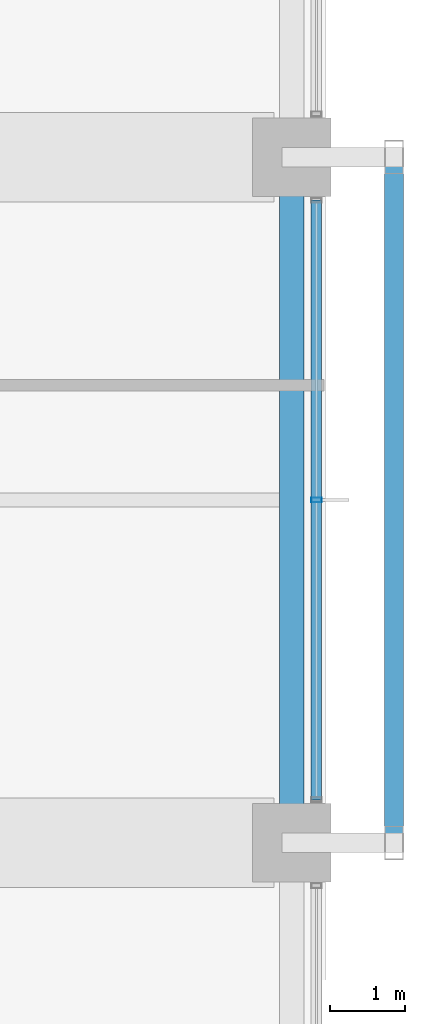
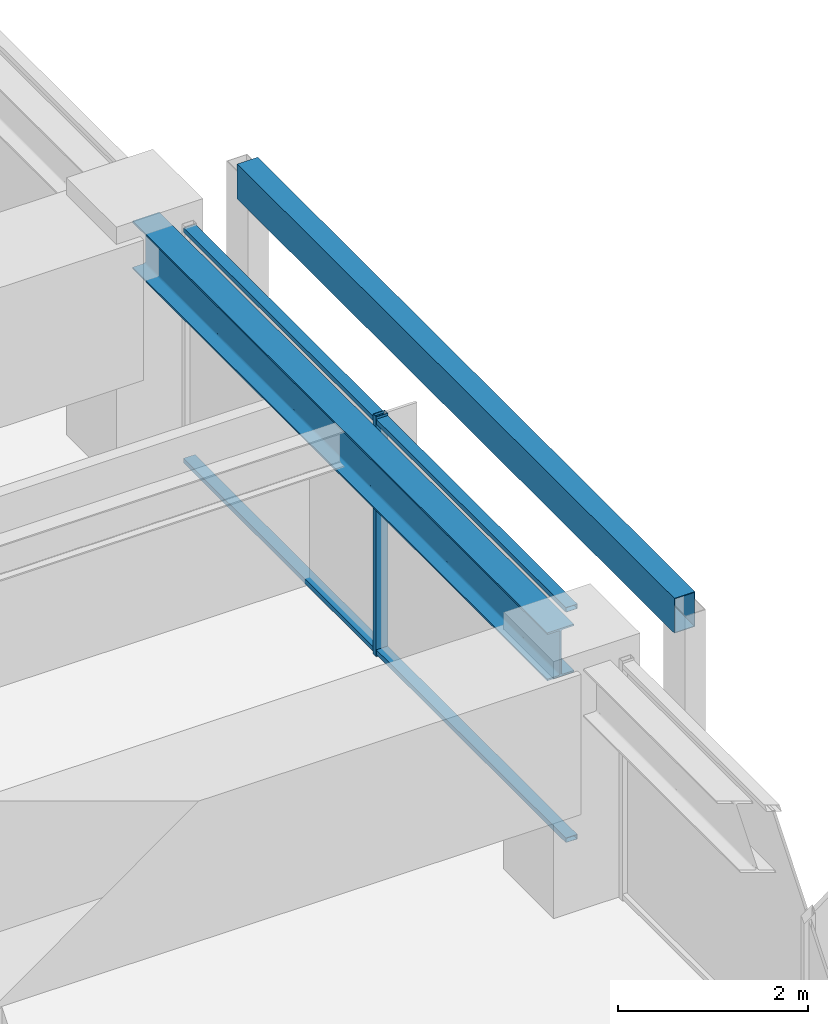
# One storey, part 17 of 39: 4 members, 1 beam, 1 element without a shape of its own.
"""IFC4 building model written with IfcOpenShell, lengths in metres."""

import ifcopenshell
import ifcopenshell.guid

model = None  # the IFC model being written
_history = None  # IfcOwnerHistory: only IFC2X3 demands one
_inside = {}  # id of a spatial element -> (the spatial element, [elements in it])
_under = {}  # id of a project, library or spatial element -> (it, [spatial elements below it])
_declared = {}  # id of a project -> (the project, [libraries it declares])
_typed = {}  # id of a type object -> (the type object, [elements of that type])
_made_of = {}  # id of a material, layer set ... -> (it, [elements and type objects made of it])


def new_model(schema):
    """Start an empty IFC model of exactly this schema.

    Asked for "IFC4X3", IfcOpenShell would pick the latest addendum, in which some entities
    have other attributes; the version numbers below select the first issue.
    IFC2X3 requires an IfcOwnerHistory on every rooted entity: one is made here for all.
    """
    global model, _history
    if schema == "IFC4X3":
        model = ifcopenshell.file(schema_version=(4, 3, 0, 0))
    else:
        model = ifcopenshell.file(schema=schema)
    _inside.clear()
    _under.clear()
    _declared.clear()
    _typed.clear()
    _made_of.clear()
    _history = None
    if model.schema == "IFC2X3":
        org = make("IfcOrganization", Name="unknown")
        user = make(
            "IfcPersonAndOrganization",
            ThePerson=make("IfcPerson", FamilyName="unknown"),
            TheOrganization=org,
        )
        app = make(
            "IfcApplication",
            ApplicationDeveloper=org,
            Version="unknown",
            ApplicationFullName="unknown",
            ApplicationIdentifier="unknown",
        )
        _history = make(
            "IfcOwnerHistory",
            OwningUser=user,
            OwningApplication=app,
            ChangeAction="ADDED",
            CreationDate=0,
        )
    return model


def make(cls, **values):
    """One entity of the class cls with the attributes given. An attribute that is None is left unset."""
    return model.create_entity(
        cls, **{name: value for name, value in values.items() if value is not None}
    )


def rooted(cls, **values):
    """An entity with a GlobalId (a new one), such as an element, a storey or a relation."""
    return make(cls, GlobalId=ifcopenshell.guid.new(), OwnerHistory=_history, **values)


def si_unit(unit_type, name, prefix=None):
    """IfcSIUnit, for example si_unit("LENGTHUNIT", "METRE", prefix="MILLI")."""
    return make("IfcSIUnit", UnitType=unit_type, Prefix=prefix, Name=name)


def assignment(units):
    """IfcUnitAssignment: the units of a project."""
    return None if units is None else make("IfcUnitAssignment", Units=units)


def point(xyz):
    """IfcCartesianPoint."""
    return None if xyz is None else make("IfcCartesianPoint", Coordinates=xyz)


def direction(xyz):
    """IfcDirection."""
    return None if xyz is None else make("IfcDirection", DirectionRatios=xyz)


def frame(location, z_axis=None, x_axis=None):
    """IfcAxis2Placement3D, a coordinate frame: its origin and axes. An axis left out is left unset."""
    return make(
        "IfcAxis2Placement3D",
        Location=point(location),
        Axis=direction(z_axis),
        RefDirection=direction(x_axis),
    )


def frame_2d(location, x_axis=None):
    """IfcAxis2Placement2D, a coordinate frame in the plane: its origin and x axis."""
    return make(
        "IfcAxis2Placement2D", Location=point(location), RefDirection=direction(x_axis)
    )


def origin():
    """The frame at (0, 0, 0) with its axes left unset."""
    return frame((0.0, 0.0, 0.0))


def origin_2d():
    """The frame at (0, 0) in the plane with its x axis left unset."""
    return frame_2d((0.0, 0.0))


def place(relative_to, where):
    """IfcLocalPlacement: puts the frame where relative to a parent placement (None: the world)."""
    return make(
        "IfcLocalPlacement", PlacementRelTo=relative_to, RelativePlacement=where
    )


def context(
    kind, dimensions, precision=None, world=None, true_north=None, identifier=None
):
    """IfcGeometricRepresentationContext, for example the 3D "Model" context."""
    return make(
        "IfcGeometricRepresentationContext",
        ContextIdentifier=identifier,
        ContextType=kind,
        CoordinateSpaceDimension=dimensions,
        Precision=precision,
        WorldCoordinateSystem=world,
        TrueNorth=true_north,
    )


def subcontext(parent, identifier, kind, view, scale=None):
    """IfcGeometricRepresentationSubContext, for example "Body" below "Model"."""
    return make(
        "IfcGeometricRepresentationSubContext",
        ContextIdentifier=identifier,
        ContextType=kind,
        ParentContext=parent,
        TargetScale=scale,
        TargetView=view,
    )


def project(units=None, contexts=None):
    """IfcProject with its units and contexts."""
    return rooted(
        "IfcProject",
        Name="project",
        RepresentationContexts=contexts,
        UnitsInContext=assignment(units),
    )


def spatial(cls, under=None, at=None, **own):
    """A site, building, storey or space (cls), placed at a placement, below another one or the project."""
    s = rooted(cls, ObjectPlacement=at, **own)
    if under is not None:
        _under.setdefault(under.id(), (under, []))[1].append(s)
    return s


def profile(cls, at=None, kind="AREA", **sizes):
    """A parametric profile (cls). Its sizes go by their IFC names, for example OverallWidth=200.0."""
    return make(cls, ProfileType=kind, Position=at, **sizes)


def hollow_rectangle(**sizes):
    """IfcRectangleHollowProfileDef."""
    return profile("IfcRectangleHollowProfileDef", **sizes)


def i_section(**sizes):
    """IfcIShapeProfileDef."""
    return profile("IfcIShapeProfileDef", **sizes)


def extrude(swept, where, along, depth):
    """IfcExtrudedAreaSolid: the profile swept, set in the frame where, extruded along a direction by depth."""
    return make(
        "IfcExtrudedAreaSolid",
        SweptArea=swept,
        Position=where,
        ExtrudedDirection=direction(along),
        Depth=depth,
    )


def shape(context_of_items, identifier, shape_type, items):
    """IfcShapeRepresentation: the items that make up one representation, for example the "Body"."""
    return make(
        "IfcShapeRepresentation",
        ContextOfItems=context_of_items,
        RepresentationIdentifier=identifier,
        RepresentationType=shape_type,
        Items=items,
    )


def material(Name=None, Category=None):
    """IfcMaterial."""
    return make("IfcMaterial", Name=Name, Category=Category)


def material_profile(
    of_material, cross_section, Name=None, Category=None, Priority=None
):
    """IfcMaterialProfile: a cross section and its material."""
    return make(
        "IfcMaterialProfile",
        Name=Name,
        Material=of_material,
        Profile=cross_section,
        Priority=Priority,
        Category=Category,
    )


def profile_set(profiles, Name=None, composite=None):
    """IfcMaterialProfileSet."""
    return make(
        "IfcMaterialProfileSet",
        Name=Name,
        MaterialProfiles=profiles,
        CompositeProfile=composite,
    )


def made_of(thing, what):
    """Note that an element or type object is made of a material, layer set ...; save() writes the relation."""
    if what is not None:
        _made_of.setdefault(what.id(), (what, []))[1].append(thing)
    return thing


def type_object(cls, material=None, **own):
    """A type object (cls), such as IfcWallType, which elements share."""
    return made_of(rooted(cls, **own), material)


def element(
    cls,
    number,
    at=None,
    inside=None,
    cuts=None,
    type_object=None,
    material=None,
    context=None,
    identifier="Body",
    shape_type=None,
    held_by="IfcProductDefinitionShape",
    body=None,
    shapes=None,
    **own,
):
    """One element of the class cls, such as IfcWall. Its Tag is "e" and its number.

    at: its placement. inside: the storey or other place that contains it. cuts: it is an
    opening in that element (IfcRelVoidsElement). A single representation is given by context,
    identifier, shape_type and body (its items); several are given by shapes. held_by: the class
    of the entity that holds the representations. save() writes the other relations.
    """
    e = rooted(cls, Tag="e%d" % number, ObjectPlacement=at, **own)
    if body is not None:
        shapes = [shape(context, identifier, shape_type, body)]
    if shapes is not None:
        e.Representation = make(held_by, Representations=shapes)
    if inside is not None:
        _inside.setdefault(inside.id(), (inside, []))[1].append(e)
    if cuts is not None:
        rooted(
            "IfcRelVoidsElement", RelatingBuildingElement=cuts, RelatedOpeningElement=e
        )
    if type_object is not None:
        _typed.setdefault(type_object.id(), (type_object, []))[1].append(e)
    return made_of(e, material)


def aggregate(whole, parts):
    """IfcRelAggregates: a whole, such as a stair, and the parts it consists of."""
    return rooted("IfcRelAggregates", RelatingObject=whole, RelatedObjects=parts)


def save(model, path):
    """Write the relations noted so far, then the file.

    IfcRelAggregates (storeys below a building ...), IfcRelContainedInSpatialStructure (elements
    in a storey), IfcRelDefinesByType, IfcRelAssociatesMaterial and IfcRelDeclares: one each for
    every whole, place, type object, material and project.
    """
    for whole, parts in _under.values():
        aggregate(whole, parts)
    for where, things in _inside.values():
        rooted(
            "IfcRelContainedInSpatialStructure",
            RelatedElements=things,
            RelatingStructure=where,
        )
    for kind, things in _typed.values():
        rooted("IfcRelDefinesByType", RelatedObjects=things, RelatingType=kind)
    for what, things in _made_of.values():
        rooted("IfcRelAssociatesMaterial", RelatedObjects=things, RelatingMaterial=what)
    for by, libraries in _declared.values():
        rooted("IfcRelDeclares", RelatingContext=by, RelatedDefinitions=libraries)
    model.write(path)


model = new_model("IFC4")

# Units and contexts
model_context = context("Model", 3, precision=1e-05, world=origin(), true_north=direction((0.0, 1.0)))
body_context = subcontext(model_context, "Body", "Model", "MODEL_VIEW")
ifc_project = project(units=[si_unit("LENGTHUNIT", "METRE"), si_unit("AREAUNIT", "SQUARE_METRE"), si_unit("VOLUMEUNIT", "CUBIC_METRE"), si_unit("PLANEANGLEUNIT", "RADIAN"), si_unit("MASSUNIT", "GRAM", prefix="KILO")], contexts=[model_context])

# Site, building, storey
site_placement = place(None, origin())
site = spatial("IfcSite", under=ifc_project, at=site_placement, CompositionType="ELEMENT")
building_placement = place(site_placement, origin())
building = spatial("IfcBuilding", under=site, at=building_placement, Name="Kolvaren Belvedere", CompositionType="ELEMENT")
storey_placement = place(building_placement, frame((0.0, 0.0, 85.39990234375)))
storey = spatial("IfcBuildingStorey", under=building, at=storey_placement, Name="L24", CompositionType="ELEMENT", Elevation=85.39990234375)

# Beam
ifc_material_1 = material(Name="Structural steel ASTM A992 Grade 50", Category="steel")
ifc_material_profile_1 = material_profile(ifc_material_1, i_section(OverallWidth=0.324951171875, OverallDepth=0.615966796875, WebThickness=0.013916015625, FlangeThickness=0.021484375, FilletRadius=0.02001953125, at=origin_2d()), Name="W24X117")
ifc_profile_set_1 = profile_set([ifc_material_profile_1], Name="Structural steel ASTM A992 Grade 50")
beam_type = type_object("IfcBeamType", Name="BM-SPAN-W24X117", PredefinedType="SPANDREL", material=ifc_profile_set_1)
beam_placement = place(storey_placement, frame((19.949951171875, -4.36376953125, 2.772216796875), z_axis=(0.0, 1.0, 0.0), x_axis=(-1.0, 0.0, 0.0)))
element("IfcBeam", 1, at=beam_placement, inside=storey, type_object=beam_type, Name="L24 Perimeter Spandrel E2-E3", PredefinedType="SPANDREL", context=body_context, shape_type="SweptSolid", body=[
    extrude(i_section(OverallWidth=0.324951171875, OverallDepth=0.615966796875, WebThickness=0.013916015625, FlangeThickness=0.021484375, FilletRadius=0.02001953125, at=origin_2d()), origin(), (0.0, 0.0, 1.0), 8.7275390625),
])

# Curtain wall, members
ifc_material_2 = material(Name="Anodised pale-metal aluminium AA 6063-T6", Category="aluminium")
curtain_wall_type = type_object("IfcCurtainWallType", Name="CW-Z2-MID", PredefinedType="NOTDEFINED", material=ifc_material_2)
curtain_wall_placement = place(storey_placement, origin())
curtain_wall = element("IfcCurtainWall", 2, at=curtain_wall_placement, inside=storey, type_object=curtain_wall_type, Name="L24 Unitised Curtain Wall FCW-L24-E-B2", PredefinedType="NOTDEFINED")
ifc_material_3 = material(Name="Anodised pale-metal aluminium AA 6063-T6", Category="aluminium")
ifc_material_profile_2 = material_profile(ifc_material_3, hollow_rectangle(XDim=0.06494140625, YDim=0.139892578125, WallThickness=0.00390625, at=origin_2d()), Name="ALU-MUL-140X65")
ifc_profile_set_2 = profile_set([ifc_material_profile_2], Name="Anodised pale-metal aluminium AA 6063-T6")
member_type_1 = type_object("IfcMemberType", Name="CW-MUL-140", PredefinedType="MULLION", material=ifc_profile_set_2)
member_1_placement = place(storey_placement, frame((20.280029296875, 0.0, 0.0), z_axis=(0.0, 0.0, 1.0), x_axis=(0.0, 1.0, 0.0)))
member_1 = element("IfcMember", 3, at=member_1_placement, type_object=member_type_1, Name="FCW-L24-E-B2 Unitised Mullion 2", PredefinedType="MULLION", context=body_context, shape_type="SweptSolid", body=[
    extrude(hollow_rectangle(XDim=0.06494140625, YDim=0.139892578125, WallThickness=0.00390625, at=origin_2d()), origin(), (0.0, 0.0, 1.0), 3.080078125),
])
ifc_material_4 = material(Name="Anodised pale-metal aluminium AA 6063-T6", Category="aluminium")
ifc_material_profile_3 = material_profile(ifc_material_4, hollow_rectangle(XDim=0.06005859375, YDim=0.139892578125, WallThickness=0.00390625, at=origin_2d()), Name="ALU-TRN-140X60")
ifc_profile_set_3 = profile_set([ifc_material_profile_3], Name="Anodised pale-metal aluminium AA 6063-T6")
member_type_2 = type_object("IfcMemberType", Name="CW-TRN-140", PredefinedType="USERDEFINED", material=ifc_profile_set_3)
member_2_placement = place(storey_placement, frame((20.280029296875, 4.0224609375, 0.06005859375), z_axis=(0.0, -1.0, 0.0), x_axis=(0.0, 0.0, 1.0)))
member_2 = element("IfcMember", 4, at=member_2_placement, type_object=member_type_2, Name="FCW-L24-E-B2 Sill Transom", ObjectType="TRANSOM", PredefinedType="USERDEFINED", context=body_context, shape_type="SweptSolid", body=[
    extrude(hollow_rectangle(XDim=0.06005859375, YDim=0.139892578125, WallThickness=0.00390625, at=origin_2d()), origin(), (0.0, 0.0, 1.0), 8.044921875),
])
member_3_placement = place(storey_placement, frame((20.280029296875, 4.0224609375, 3.02001953125), z_axis=(0.0, -1.0, 0.0), x_axis=(0.0, 0.0, 1.0)))
member_3 = element("IfcMember", 5, at=member_3_placement, type_object=member_type_2, Name="FCW-L24-E-B2 Head Transom", ObjectType="TRANSOM", PredefinedType="USERDEFINED", context=body_context, shape_type="SweptSolid", body=[
    extrude(hollow_rectangle(XDim=0.06005859375, YDim=0.139892578125, WallThickness=0.00390625, at=origin_2d()), origin(), (0.0, 0.0, 1.0), 8.044921875),
])
aggregate(curtain_wall, [member_1, member_2, member_3])

# Member
ifc_material_5 = material(Name="Anodised pale-metal aluminium AA 6063-T6", Category="aluminium")
ifc_material_profile_4 = material_profile(ifc_material_5, hollow_rectangle(XDim=0.25, YDim=0.449951171875, WallThickness=0.008544921875, at=origin_2d()), Name="ALU-PF-450X250")
ifc_profile_set_4 = profile_set([ifc_material_profile_4], Name="Anodised pale-metal aluminium AA 6063-T6")
member_type_3 = type_object("IfcMemberType", Name="PF-FRAME-450", PredefinedType="USERDEFINED", material=ifc_profile_set_4)
member_4_placement = place(storey_placement, frame((21.320068359375, 4.60009765625, 2.9501953125), z_axis=(0.0, -1.0, 0.0), x_axis=(1.0, 0.0, 0.0)))
element("IfcMember", 6, at=member_4_placement, inside=storey, type_object=member_type_3, Name="L24 Outboard Picture-Frame Head E", ObjectType="PICTURE FRAME FIN", PredefinedType="USERDEFINED", context=body_context, shape_type="SweptSolid", body=[
    extrude(hollow_rectangle(XDim=0.25, YDim=0.449951171875, WallThickness=0.008544921875, at=origin_2d()), origin(), (0.0, 0.0, 1.0), 9.2001953125),
])

save(model, "model.ifc")
